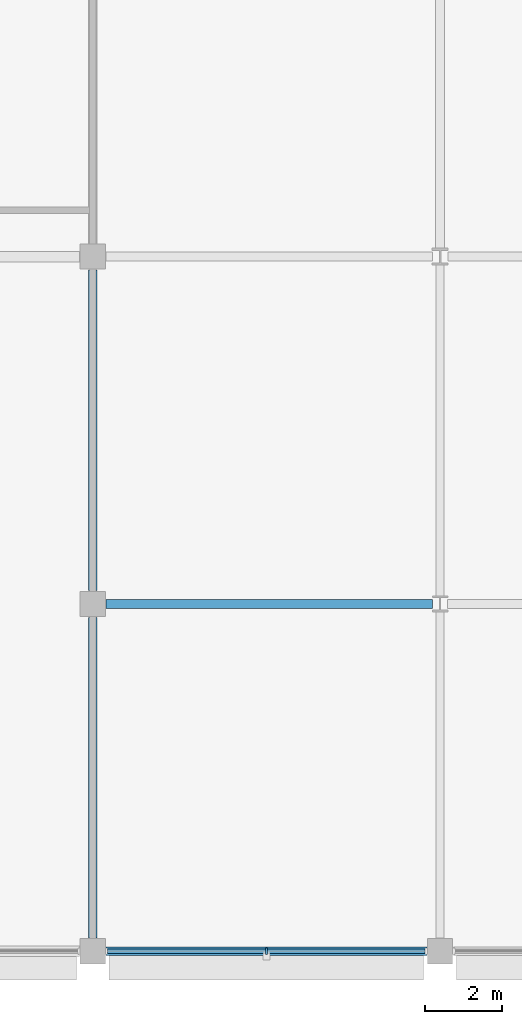
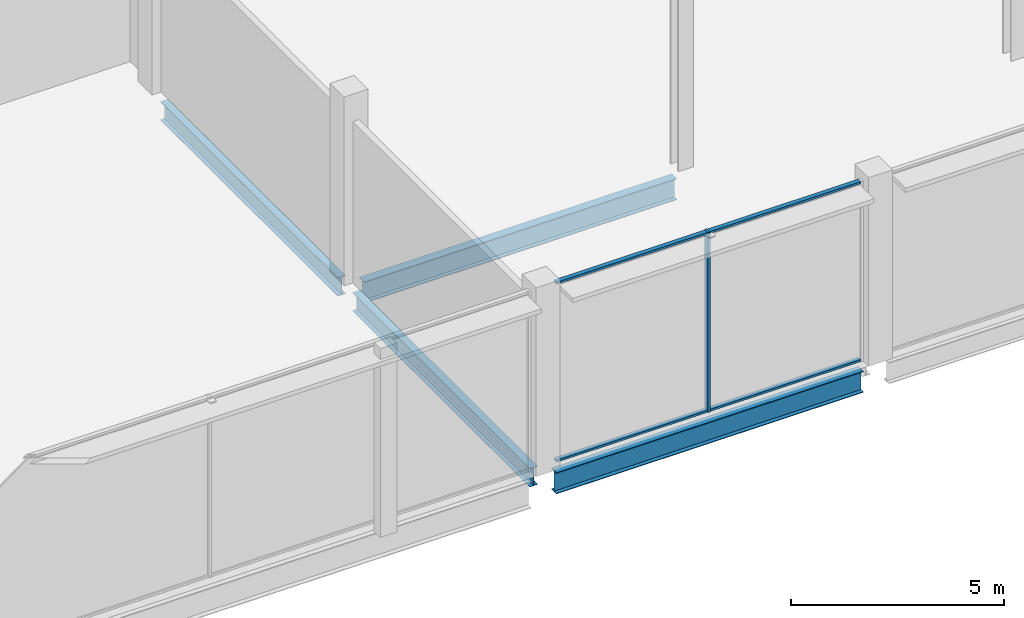
# One storey, part 46 of 113: 5 members, 4 beams, 1 element without a shape of its own.
"""IFC4 building model written with IfcOpenShell, lengths in metres."""

from ifc_helpers import new_model, si_unit, direction, frame, origin, origin_2d, place, context, subcontext, project, spatial, rectangle, i_section, extrude, material, layer, layer_set, material_profile, profile_set, type_object, element, aggregate, save


model = new_model("IFC4")

# Units and contexts
model_context = context("Model", 3, precision=1e-05, world=origin(), true_north=direction((0.0, 1.0)))
body_context = subcontext(model_context, "Body", "Model", "MODEL_VIEW")
ifc_project = project(units=[si_unit("LENGTHUNIT", "METRE"), si_unit("AREAUNIT", "SQUARE_METRE"), si_unit("VOLUMEUNIT", "CUBIC_METRE"), si_unit("PLANEANGLEUNIT", "RADIAN"), si_unit("MASSUNIT", "GRAM", prefix="KILO")], contexts=[model_context])

# Site, building, storey
site_placement = place(None, origin())
site = spatial("IfcSite", under=ifc_project, at=site_placement, CompositionType="ELEMENT")
building_placement = place(site_placement, origin())
building = spatial("IfcBuilding", under=site, at=building_placement, Name="Kisiwana Market Hall", CompositionType="ELEMENT")
storey_placement = place(building_placement, frame((0.0, 0.0, 6.0)))
storey = spatial("IfcBuildingStorey", under=building, at=storey_placement, Name="L01", CompositionType="ELEMENT", Elevation=6.0)

# Beams
ifc_material_1 = material(Name="Steel S355", Category="steel")
ifc_material_profile_1 = material_profile(ifc_material_1, i_section(OverallWidth=0.209228515625, OverallDepth=0.533203125, WebThickness=0.010009765625, FlangeThickness=0.015625, at=origin_2d()), Name="UB 533x210x92")
ifc_profile_set_1 = profile_set([ifc_material_profile_1], Name="Steel S355")
beam_type_1 = type_object("IfcBeamType", Name="BM-GIRD-UB533", PredefinedType="BEAM", material=ifc_profile_set_1)
for number, where, z_axis, x_axis, name in (
    (1, (153.0, 0.345947265625, -0.5166015625), (0.0, 1.0, 0.0), (-1.0, 0.0, 0.0), "Primary girder B-0391"),
    (2, (153.0, 9.345947265625, -0.5166015625), (0.0, 1.0, 0.0), (-1.0, 0.0, 0.0), "Primary girder B-0392"),
):
    element("IfcBeam", number, at=place(storey_placement, frame(where, z_axis=z_axis, x_axis=x_axis)), inside=storey, type_object=beam_type_1, Name=name, PredefinedType="BEAM", context=body_context, shape_type="SweptSolid", body=[
        extrude(i_section(OverallWidth=0.209228515625, OverallDepth=0.533203125, WebThickness=0.010009765625, FlangeThickness=0.015625, at=origin_2d()), origin(), (0.0, 0.0, 1.0), 8.30810546875),
    ])
ifc_material_2 = material(Name="Steel S355", Category="steel")
ifc_material_profile_2 = material_profile(ifc_material_2, i_section(OverallWidth=0.22900390625, OverallDepth=0.6123046875, WebThickness=0.011962890625, FlangeThickness=0.01953125, at=origin_2d()), Name="UB 610x229x125")
ifc_profile_set_2 = profile_set([ifc_material_profile_2], Name="Steel S355")
beam_type_2 = type_object("IfcBeamType", Name="BM-GIRD-UB610H", PredefinedType="BEAM", material=ifc_profile_set_2)
beam_1_placement = place(storey_placement, frame((153.345947265625, 0.0, -0.55615234375), z_axis=(1.0, 0.0, 0.0), x_axis=(0.0, 1.0, 0.0)))
element("IfcBeam", 3, at=beam_1_placement, inside=storey, type_object=beam_type_2, Name="Floor beam B-0459", PredefinedType="BEAM", context=body_context, shape_type="SweptSolid", body=[
    extrude(i_section(OverallWidth=0.22900390625, OverallDepth=0.6123046875, WebThickness=0.011962890625, FlangeThickness=0.01953125, at=origin_2d()), origin(), (0.0, 0.0, 1.0), 8.30810546875),
])
beam_2_placement = place(storey_placement, frame((153.345947265625, 9.0, -0.55615234375), z_axis=(1.0, 0.0, 0.0), x_axis=(0.0, 1.0, 0.0)))
element("IfcBeam", 4, at=beam_2_placement, inside=storey, type_object=beam_type_2, Name="Floor beam B-0467", PredefinedType="BEAM", context=body_context, shape_type="SweptSolid", body=[
    extrude(i_section(OverallWidth=0.22900390625, OverallDepth=0.6123046875, WebThickness=0.011962890625, FlangeThickness=0.01953125, at=origin_2d()), origin(), (0.0, 0.0, 1.0), 8.45654296875),
])

# Curtain wall, members
ifc_material_3 = material(Name="Double-glazed solar-control low-E IGU", Category="glass")
ifc_layer = layer(ifc_material_3, 0.159912109375)
ifc_layer_set = layer_set([ifc_layer], Name="CW-FC-S-7600")
curtain_wall_type = type_object("IfcCurtainWallType", Name="CW-FC-S-7600", PredefinedType="USERDEFINED", material=ifc_layer_set)
curtain_wall_placement = place(storey_placement, origin())
curtain_wall = element("IfcCurtainWall", 5, at=curtain_wall_placement, inside=storey, type_object=curtain_wall_type, Name="Unitised curtain wall CW-014 (L01)", ObjectType="UNITISED CURTAIN WALL", PredefinedType="USERDEFINED")
ifc_material_4 = material(Name="Aluminium alloy 6063-T6", Category="aluminium")
ifc_material_profile_3 = material_profile(ifc_material_4, rectangle(XDim=0.06005859375, YDim=0.159912109375, at=origin_2d()), Name="ALU MULLION 60x160")
ifc_profile_set_3 = profile_set([ifc_material_profile_3], Name="Aluminium alloy 6063-T6")
member_type_1 = type_object("IfcMemberType", Name="CW-MULL-60x160", PredefinedType="MULLION", material=ifc_profile_set_3)
member_1_placement = place(storey_placement, frame((157.5, 0.0, 0.0), z_axis=(0.0, 0.0, 1.0), x_axis=(1.0, 0.0, 0.0)))
member_1 = element("IfcMember", 6, at=member_1_placement, type_object=member_type_1, Name="CW-014 mullion 2", PredefinedType="MULLION", context=body_context, shape_type="SweptSolid", body=[
    extrude(rectangle(XDim=0.06005859375, YDim=0.159912109375, at=origin_2d()), origin(), (0.0, 0.0, 1.0), 5.14990234375),
])
ifc_material_5 = material(Name="Aluminium alloy 6063-T6", Category="aluminium")
ifc_material_profile_4 = material_profile(ifc_material_5, rectangle(XDim=0.1201171875, YDim=0.06005859375, at=origin_2d()), Name="ALU TRANSOM 60x120")
ifc_profile_set_4 = profile_set([ifc_material_profile_4], Name="Aluminium alloy 6063-T6")
member_type_2 = type_object("IfcMemberType", Name="CW-TRAN-60x120", PredefinedType="USERDEFINED", material=ifc_profile_set_4)
member_2_placement = place(storey_placement, frame((153.385009765625, 0.0, 0.030029296875), z_axis=(1.0, 0.0, 0.0), x_axis=(0.0, 1.0, 0.0)))
member_2 = element("IfcMember", 7, at=member_2_placement, type_object=member_type_2, Name="CW-014 transom 1.1", ObjectType="TRANSOM", PredefinedType="USERDEFINED", context=body_context, shape_type="SweptSolid", body=[
    extrude(rectangle(XDim=0.1201171875, YDim=0.06005859375, at=origin_2d()), origin(), (0.0, 0.0, 1.0), 4.0849609375),
])
member_3_placement = place(storey_placement, frame((153.385009765625, 0.0, 5.1201171875), z_axis=(1.0, 0.0, 0.0), x_axis=(0.0, 1.0, 0.0)))
member_3 = element("IfcMember", 8, at=member_3_placement, type_object=member_type_2, Name="CW-014 transom 1.2", ObjectType="TRANSOM", PredefinedType="USERDEFINED", context=body_context, shape_type="SweptSolid", body=[
    extrude(rectangle(XDim=0.1201171875, YDim=0.06005859375, at=origin_2d()), origin(), (0.0, 0.0, 1.0), 4.0849609375),
])
member_4_placement = place(storey_placement, frame((157.530029296875, 0.0, 0.030029296875), z_axis=(1.0, 0.0, 0.0), x_axis=(0.0, 1.0, 0.0)))
member_4 = element("IfcMember", 9, at=member_4_placement, type_object=member_type_2, Name="CW-014 transom 2.1", ObjectType="TRANSOM", PredefinedType="USERDEFINED", context=body_context, shape_type="SweptSolid", body=[
    extrude(rectangle(XDim=0.1201171875, YDim=0.06005859375, at=origin_2d()), origin(), (0.0, 0.0, 1.0), 4.0849609375),
])
member_5_placement = place(storey_placement, frame((157.530029296875, 0.0, 5.1201171875), z_axis=(1.0, 0.0, 0.0), x_axis=(0.0, 1.0, 0.0)))
member_5 = element("IfcMember", 10, at=member_5_placement, type_object=member_type_2, Name="CW-014 transom 2.2", ObjectType="TRANSOM", PredefinedType="USERDEFINED", context=body_context, shape_type="SweptSolid", body=[
    extrude(rectangle(XDim=0.1201171875, YDim=0.06005859375, at=origin_2d()), origin(), (0.0, 0.0, 1.0), 4.0849609375),
])
aggregate(curtain_wall, [member_1, member_2, member_3, member_4, member_5])

save(model, "model.ifc")
